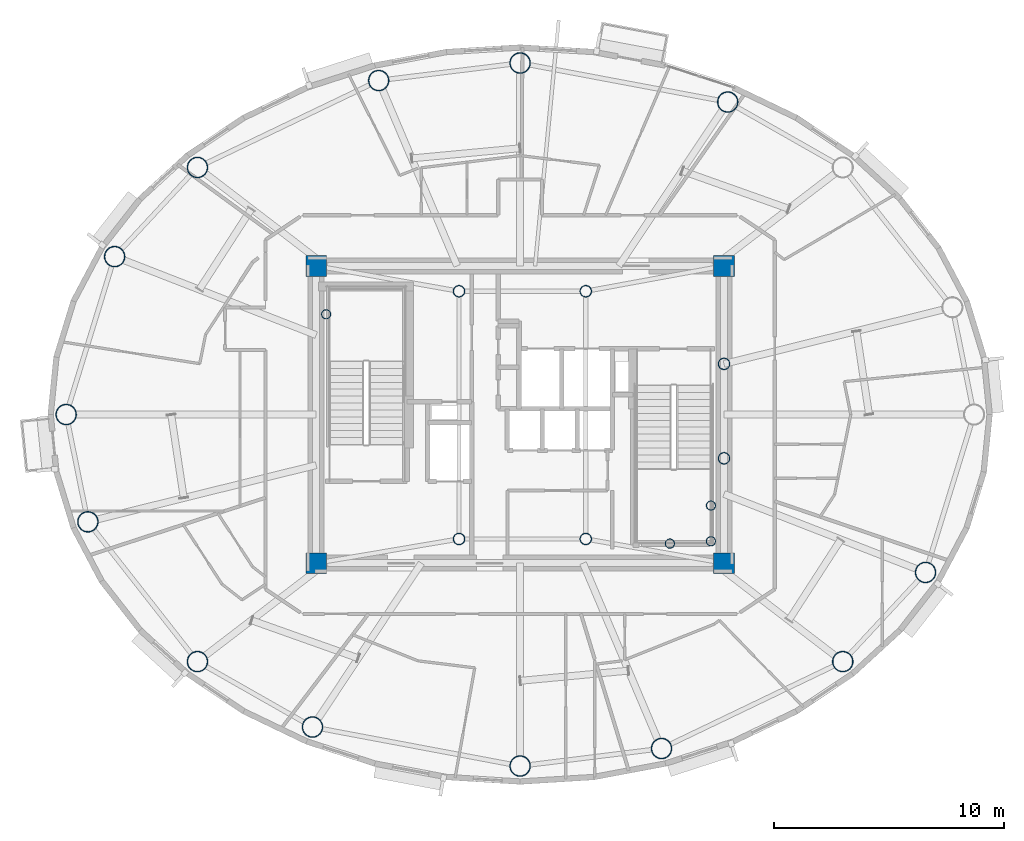
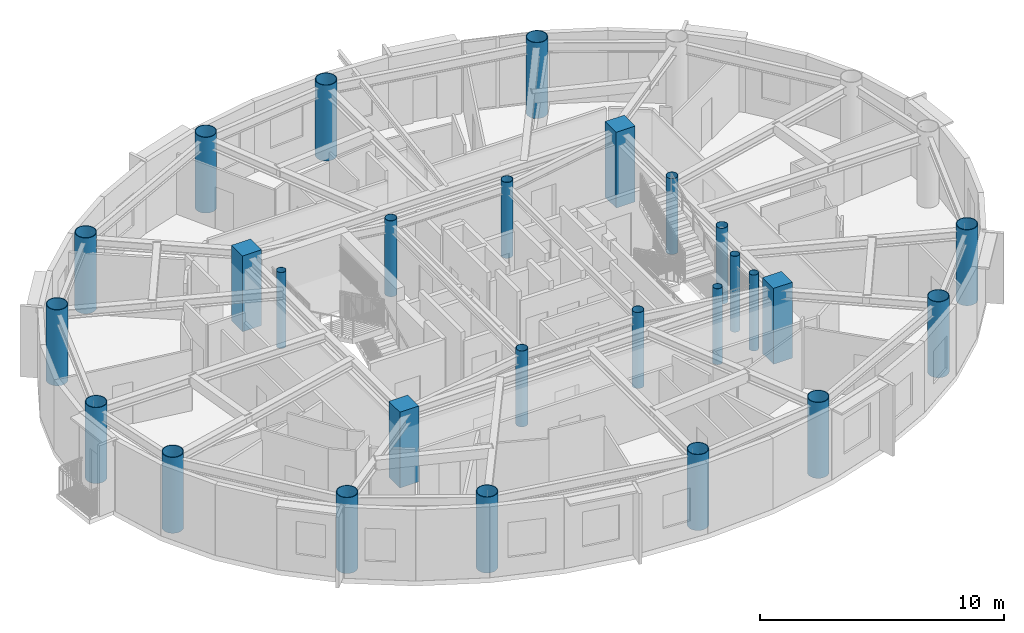
# One storey, part 1 of 17: 27 columns.
"""IFC4 building model written with IfcOpenShell, lengths in metres."""

from ifc_helpers import new_model, si_unit, direction, frame, origin, origin_2d, place, context, subcontext, project, spatial, rectangle, hollow_circle, extrude, material, material_profile, profile_set, type_object, element, save


model = new_model("IFC4")

# Units and contexts
model_context = context("Model", 3, precision=1e-05, world=origin(), true_north=direction((0.0, 1.0)))
body_context = subcontext(model_context, "Body", "Model", "MODEL_VIEW")
ifc_project = project(units=[si_unit("LENGTHUNIT", "METRE"), si_unit("AREAUNIT", "SQUARE_METRE"), si_unit("VOLUMEUNIT", "CUBIC_METRE"), si_unit("PLANEANGLEUNIT", "RADIAN"), si_unit("MASSUNIT", "GRAM", prefix="KILO")], contexts=[model_context])

# Site, building, storey
site_placement = place(None, origin())
site = spatial("IfcSite", under=ifc_project, at=site_placement, CompositionType="ELEMENT")
building_placement = place(site_placement, origin())
building = spatial("IfcBuilding", under=site, at=building_placement, Name="Linh Dai School and Residence Tower", CompositionType="ELEMENT")
storey_placement = place(building_placement, frame((0.0, 0.0, 327.800048828125)))
storey = spatial("IfcBuildingStorey", under=building, at=storey_placement, Name="L81", CompositionType="ELEMENT", Elevation=327.800048828125)

# Columns
ifc_material_1 = material(Name="Concrete B45 (C35/45)", Category="concrete")
ifc_material_profile_1 = material_profile(ifc_material_1, rectangle(XDim=0.89990234375, YDim=0.89990234375, at=origin_2d()), Name="RC 900x900")
ifc_profile_set_1 = profile_set([ifc_material_profile_1], Name="Concrete B45 (C35/45)")
column_type_1 = type_object("IfcColumnType", Name="COL-CC4", PredefinedType="COLUMN", material=ifc_profile_set_1)
for number, where, z_axis, x_axis, name in (
    (1, (27.14990234375, 20.550048828125, 0.0), (0.0, 0.0, 1.0), (1.0, 0.0, 0.0), "L81 Core Corner Pier CC1"),
    (2, (44.85009765625, 20.550048828125, 0.0), (0.0, 0.0, 1.0), (1.0, 0.0, 0.0), "L81 Core Corner Pier CC2"),
    (3, (44.85009765625, 33.449951171875, 0.0), (0.0, 0.0, 1.0), (1.0, 0.0, 0.0), "L81 Core Corner Pier CC3"),
    (4, (27.14990234375, 33.449951171875, 0.0), (0.0, 0.0, 1.0), (1.0, 0.0, 0.0), "L81 Core Corner Pier CC4"),
):
    element("IfcColumn", number, at=place(storey_placement, frame(where, z_axis=z_axis, x_axis=x_axis)), inside=storey, type_object=column_type_1, Name=name, PredefinedType="COLUMN", context=body_context, shape_type="SweptSolid", body=[
        extrude(rectangle(XDim=0.89990234375, YDim=0.89990234375, at=origin_2d()), origin(), (0.0, 0.0, 1.0), 3.800048828125),
    ])
ifc_material_2 = material(Name="Structural Steel S355JR", Category="steel")
ifc_material_profile_2 = material_profile(ifc_material_2, hollow_circle(Radius=0.203125, WallThickness=0.01611328125, at=origin_2d()), Name="CHS 406.4x16")
ifc_profile_set_2 = profile_set([ifc_material_profile_2], Name="Structural Steel S355JR")
column_type_2 = type_object("IfcColumnType", Name="COL-EC", PredefinedType="COLUMN", material=ifc_profile_set_2)
for number, where, z_axis, x_axis, name in (
    (5, (27.580078125, 31.35009765625, 0.0), (0.0, 0.0, 1.0), (1.0, 0.0, 0.0), "L81 Stair Shaft Landing Support Pier ST1NW"),
    (6, (44.280029296875, 21.5, 0.0), (0.0, 0.0, 1.0), (1.0, 0.0, 0.0), "L81 Stair Shaft Landing Support Pier ST2SE"),
    (7, (44.280029296875, 23.050048828125, 0.0), (0.0, 0.0, 1.0), (1.0, 0.0, 0.0), "L81 Stair Shaft Landing Support Pier ST2NE"),
    (8, (42.5, 21.39990234375, 0.0), (0.0, 0.0, 1.0), (1.0, 0.0, 0.0), "L81 Stair Shaft Landing Support Pier ST2MS"),
):
    element("IfcColumn", number, at=place(storey_placement, frame(where, z_axis=z_axis, x_axis=x_axis)), inside=storey, type_object=column_type_2, Name=name, PredefinedType="COLUMN", context=body_context, shape_type="SweptSolid", body=[
        extrude(hollow_circle(Radius=0.203125, WallThickness=0.01611328125, at=origin_2d()), origin(), (0.0, 0.0, 1.0), 3.800048828125),
    ])
ifc_material_profile_3 = material_profile(ifc_material_2, hollow_circle(Radius=0.449951171875, WallThickness=0.028076171875, at=origin_2d()), Name="CHS 900x28")
ifc_profile_set_3 = profile_set([ifc_material_profile_3], Name="Structural Steel S355JR")
column_type_3 = type_object("IfcColumnType", Name="COL-MC7", PredefinedType="COLUMN", material=ifc_profile_set_3)
for number, where, z_axis, x_axis, name in (
    (9, (45.01025390625, 40.56201171875, 0.0), (0.0, 0.0, 1.0), (1.0, 0.0, 0.0), "L81 Perimeter CFT Mega-Column MC04"),
    (10, (36.0, 42.2548828125, 0.0), (0.0, 0.0, 1.0), (1.0, 0.0, 0.0), "L81 Perimeter CFT Mega-Column MC05"),
    (11, (29.862548828125, 41.493896484375, 0.0), (0.0, 0.0, 1.0), (1.0, 0.0, 0.0), "L81 Perimeter CFT Mega-Column MC06"),
    (12, (21.99755859375, 37.72265625, 0.0), (0.0, 0.0, 1.0), (1.0, 0.0, 0.0), "L81 Perimeter CFT Mega-Column MC07"),
    (13, (18.405029296875, 33.8525390625, 0.0), (0.0, 0.0, 1.0), (1.0, 0.0, 0.0), "L81 Perimeter CFT Mega-Column MC08"),
    (14, (16.300048828125, 27.0, 0.0), (0.0, 0.0, 1.0), (1.0, 0.0, 0.0), "L81 Perimeter CFT Mega-Column MC09"),
    (15, (17.2421875, 22.34521484375, 0.0), (0.0, 0.0, 1.0), (1.0, 0.0, 0.0), "L81 Perimeter CFT Mega-Column MC10"),
    (16, (21.99755859375, 16.27734375, 0.0), (0.0, 0.0, 1.0), (1.0, 0.0, 0.0), "L81 Perimeter CFT Mega-Column MC11"),
    (17, (26.98974609375, 13.43798828125, 0.0), (0.0, 0.0, 1.0), (1.0, 0.0, 0.0), "L81 Perimeter CFT Mega-Column MC12"),
    (18, (36.0, 11.7451171875, 0.0), (0.0, 0.0, 1.0), (1.0, 0.0, 0.0), "L81 Perimeter CFT Mega-Column MC13"),
    (19, (42.137451171875, 12.506103515625, 0.0), (0.0, 0.0, 1.0), (1.0, 0.0, 0.0), "L81 Perimeter CFT Mega-Column MC14"),
    (20, (50.00244140625, 16.27734375, 0.0), (0.0, 0.0, 1.0), (1.0, 0.0, 0.0), "L81 Perimeter CFT Mega-Column MC15"),
    (21, (53.594970703125, 20.1474609375, 0.0), (0.0, 0.0, 1.0), (1.0, 0.0, 0.0), "L81 Perimeter CFT Mega-Column MC16"),
):
    element("IfcColumn", number, at=place(storey_placement, frame(where, z_axis=z_axis, x_axis=x_axis)), inside=storey, type_object=column_type_3, Name=name, PredefinedType="COLUMN", context=body_context, shape_type="SweptSolid", body=[
        extrude(hollow_circle(Radius=0.449951171875, WallThickness=0.028076171875, at=origin_2d()), origin(), (0.0, 0.0, 1.0), 3.800048828125),
    ])
ifc_material_profile_4 = material_profile(ifc_material_2, hollow_circle(Radius=0.25390625, WallThickness=0.02001953125, at=origin_2d()), Name="CHS 508x20")
ifc_profile_set_4 = profile_set([ifc_material_profile_4], Name="Structural Steel S355JR")
column_type_4 = type_object("IfcColumnType", Name="COL-MCP", PredefinedType="COLUMN", material=ifc_profile_set_4)
for number, where, z_axis, x_axis, name in (
    (22, (33.35009765625, 21.60009765625, 0.0), (0.0, 0.0, 1.0), (1.0, 0.0, 0.0), "L81 Core Mast Support Pier MCP1"),
    (23, (38.85009765625, 21.60009765625, 0.0), (0.0, 0.0, 1.0), (1.0, 0.0, 0.0), "L81 Core Mast Support Pier MCP2"),
    (24, (38.85009765625, 32.35009765625, 0.0), (0.0, 0.0, 1.0), (1.0, 0.0, 0.0), "L81 Core Mast Support Pier MCP3"),
    (25, (33.35009765625, 32.35009765625, 0.0), (0.0, 0.0, 1.0), (1.0, 0.0, 0.0), "L81 Core Mast Support Pier MCP4"),
    (26, (44.85009765625, 25.10009765625, 0.0), (0.0, 0.0, 1.0), (1.0, 0.0, 0.0), "L81 Sky-Lounge Core Anchor Pier S"),
    (27, (44.85009765625, 29.199951171875, 0.0), (0.0, 0.0, 1.0), (1.0, 0.0, 0.0), "L81 Sky-Lounge Core Anchor Pier N"),
):
    element("IfcColumn", number, at=place(storey_placement, frame(where, z_axis=z_axis, x_axis=x_axis)), inside=storey, type_object=column_type_4, Name=name, PredefinedType="COLUMN", context=body_context, shape_type="SweptSolid", body=[
        extrude(hollow_circle(Radius=0.25390625, WallThickness=0.02001953125, at=origin_2d()), origin(), (0.0, 0.0, 1.0), 3.800048828125),
    ])

save(model, "model.ifc")
